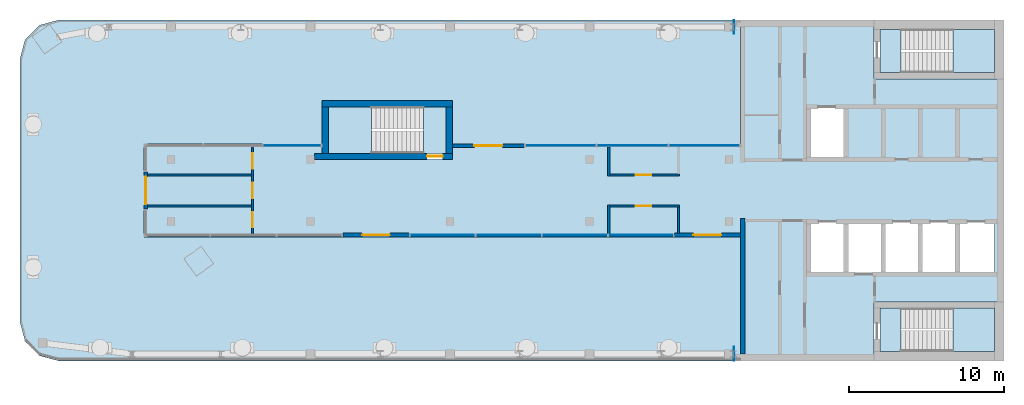
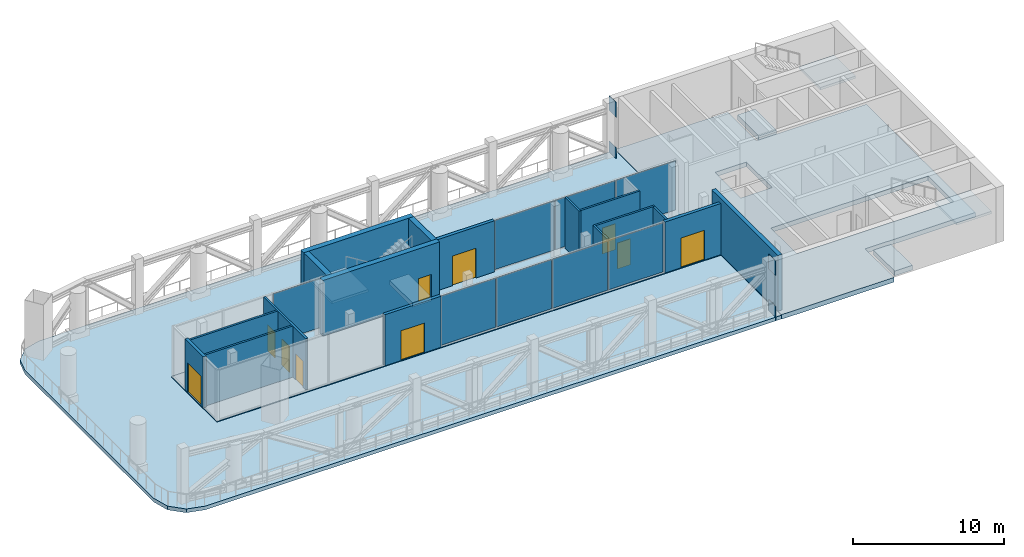
# One storey, part 4 of 9: 17 walls, 12 plates, 10 doors, 8 slabs, 10 openings, 6 elements without a shape of their own.
"""IFC4 building model written with IfcOpenShell, lengths in metres."""

from ifc_helpers import new_model, si_unit, direction, frame, frame_2d, origin, origin_2d, place, context, subcontext, project, spatial, polyline, rectangle, outline, extrude, material, layer, layer_set, type_object, element, fill, aggregate, save


model = new_model("IFC4")

# Units and contexts
model_context = context("Model", 3, precision=1e-05, world=origin(), true_north=direction((0.0, 1.0)))
body_context = subcontext(model_context, "Body", "Model", "MODEL_VIEW")
ifc_project = project(units=[si_unit("LENGTHUNIT", "METRE"), si_unit("AREAUNIT", "SQUARE_METRE"), si_unit("VOLUMEUNIT", "CUBIC_METRE"), si_unit("PLANEANGLEUNIT", "RADIAN"), si_unit("MASSUNIT", "GRAM", prefix="KILO")], contexts=[model_context])

# Site, building, storey
site_placement = place(None, origin())
site = spatial("IfcSite", under=ifc_project, at=site_placement, CompositionType="ELEMENT")
building_placement = place(site_placement, origin())
building = spatial("IfcBuilding", under=site, at=building_placement, Name="Skarvind Civic Tower", CompositionType="ELEMENT")
storey_placement = place(building_placement, frame((0.0, 0.0, 277.5)))
storey = spatial("IfcBuildingStorey", under=building, at=storey_placement, Name="L66", CompositionType="ELEMENT", Elevation=277.5)

# Curtain wall, plate
ifc_material_1 = material(Name="Aluminium alloy 6063 and laminated glass", Category="aluminium")
curtain_wall_type = type_object("IfcCurtainWallType", Name="CW5 CROWN GALLERY LANTERN", PredefinedType="NOTDEFINED", material=ifc_material_1)
curtain_wall_1_placement = place(storey_placement, origin())
curtain_wall_1 = element("IfcCurtainWall", 1, at=curtain_wall_1_placement, inside=storey, type_object=curtain_wall_type, Name="CROWN GALLERY LANTERN", PredefinedType="NOTDEFINED")
ifc_material_2 = material(Name="Laminated low-iron glass", Category="glass")
ifc_layer_1 = layer(ifc_material_2, 0.035888671875)
ifc_layer_set_1 = layer_set([ifc_layer_1], Name="CW5 GLASS PANEL 36")
plate_type_1 = type_object("IfcPlateType", Name="CW5 GLASS PANEL 36", PredefinedType="CURTAIN_PANEL", material=ifc_layer_set_1)
plate_1_placement = place(storey_placement, frame((62.063232421875, 130.889892578125, 0.080078125), z_axis=(0.0, 0.0, 1.0), x_axis=(1.0, 0.0, 0.0)))
plate_1 = element("IfcPlate", 2, at=plate_1_placement, type_object=plate_type_1, Name="CW5 panel 3.1", PredefinedType="CURTAIN_PANEL", context=body_context, shape_type="SweptSolid", body=[
    extrude(rectangle(XDim=3.71337890625, YDim=0.035888671875, at=origin_2d()), origin(), (0.0, 0.0, 1.0), 3.965087890625),
])
aggregate(curtain_wall_1, [plate_1])

# Curtain wall, plates
curtain_wall_2_placement = place(storey_placement, origin())
curtain_wall_2 = element("IfcCurtainWall", 3, at=curtain_wall_2_placement, inside=storey, type_object=curtain_wall_type, Name="CROWN GALLERY LANTERN", PredefinedType="NOTDEFINED")
plate_2_placement = place(storey_placement, frame((84.563232421875, 125.110107421875, 0.080078125), z_axis=(0.0, 0.0, 1.0), x_axis=(-1.0, 0.0, 0.0)))
plate_2 = element("IfcPlate", 4, at=plate_2_placement, type_object=plate_type_1, Name="CW5 panel 1.1", PredefinedType="CURTAIN_PANEL", context=body_context, shape_type="SweptSolid", body=[
    extrude(rectangle(XDim=4.15771484375, YDim=0.035888671875, at=origin_2d()), origin(), (0.0, 0.0, 1.0), 3.965087890625),
])
plate_3_placement = place(storey_placement, frame((80.305419921875, 125.110107421875, 0.080078125), z_axis=(0.0, 0.0, 1.0), x_axis=(-1.0, 0.0, 0.0)))
plate_3 = element("IfcPlate", 5, at=plate_3_placement, type_object=plate_type_1, Name="CW5 panel 2.1", PredefinedType="CURTAIN_PANEL", context=body_context, shape_type="SweptSolid", body=[
    extrude(rectangle(XDim=4.19775390625, YDim=0.035888671875, at=origin_2d()), origin(), (0.0, 0.0, 1.0), 3.965087890625),
])
plate_4_placement = place(storey_placement, frame((76.02783203125, 125.110107421875, 0.080078125), z_axis=(0.0, 0.0, 1.0), x_axis=(-1.0, 0.0, 0.0)))
plate_4 = element("IfcPlate", 6, at=plate_4_placement, type_object=plate_type_1, Name="CW5 panel 3.1", PredefinedType="CURTAIN_PANEL", context=body_context, shape_type="SweptSolid", body=[
    extrude(rectangle(XDim=4.19775390625, YDim=0.035888671875, at=origin_2d()), origin(), (0.0, 0.0, 1.0), 3.965087890625),
])
plate_5_placement = place(storey_placement, frame((71.77001953125, 125.110107421875, 0.080078125), z_axis=(0.0, 0.0, 1.0), x_axis=(-1.0, 0.0, 0.0)))
plate_5 = element("IfcPlate", 7, at=plate_5_placement, type_object=plate_type_1, Name="CW5 panel 4.1", PredefinedType="CURTAIN_PANEL", context=body_context, shape_type="SweptSolid", body=[
    extrude(rectangle(XDim=4.15771484375, YDim=0.035888671875, at=origin_2d()), origin(), (0.0, 0.0, 1.0), 3.965087890625),
])
aggregate(curtain_wall_2, [plate_2, plate_3, plate_4, plate_5])

curtain_wall_3_placement = place(storey_placement, origin())
curtain_wall_3 = element("IfcCurtainWall", 8, at=curtain_wall_3_placement, inside=storey, type_object=curtain_wall_type, Name="CROWN GALLERY LANTERN", PredefinedType="NOTDEFINED")
plate_6_placement = place(storey_placement, frame((79.39501953125, 130.889892578125, 0.080078125), z_axis=(0.0, 0.0, 1.0), x_axis=(1.0, 0.0, 0.0)))
plate_6 = element("IfcPlate", 9, at=plate_6_placement, type_object=plate_type_1, Name="CW5 panel 1.1", PredefinedType="CURTAIN_PANEL", context=body_context, shape_type="SweptSolid", body=[
    extrude(rectangle(XDim=4.530029296875, YDim=0.035888671875, at=origin_2d()), origin(), (0.0, 0.0, 1.0), 3.965087890625),
])
plate_7_placement = place(storey_placement, frame((84.02490234375, 130.889892578125, 0.080078125), z_axis=(0.0, 0.0, 1.0), x_axis=(1.0, 0.0, 0.0)))
plate_7 = element("IfcPlate", 10, at=plate_7_placement, type_object=plate_type_1, Name="CW5 panel 2.1", PredefinedType="CURTAIN_PANEL", context=body_context, shape_type="SweptSolid", body=[
    extrude(rectangle(XDim=4.570068359375, YDim=0.035888671875, at=origin_2d()), origin(), (0.0, 0.0, 1.0), 3.965087890625),
])
plate_8_placement = place(storey_placement, frame((88.655029296875, 130.889892578125, 0.080078125), z_axis=(0.0, 0.0, 1.0), x_axis=(1.0, 0.0, 0.0)))
plate_8 = element("IfcPlate", 11, at=plate_8_placement, type_object=plate_type_1, Name="CW5 panel 3.1", PredefinedType="CURTAIN_PANEL", context=body_context, shape_type="SweptSolid", body=[
    extrude(rectangle(XDim=4.530029296875, YDim=0.035888671875, at=origin_2d()), origin(), (0.0, 0.0, 1.0), 3.965087890625),
])
aggregate(curtain_wall_3, [plate_6, plate_7, plate_8])

# Plates
ifc_material_3 = material(Name="Steel SM355", Category="steel")
ifc_layer_2 = layer(ifc_material_3, 0.0400390625)
ifc_layer_set_2 = layer_set([ifc_layer_2], Name="Cast-in plate 40")
plate_type_2 = type_object("IfcPlateType", Name="Cast-in plate 40", PredefinedType="USERDEFINED", material=ifc_layer_set_2)
for number, where, z_axis, x_axis, name in (
    (12, (90.570068359375, 138.550048828125, -0.37109375), (0.0, 0.0, 1.0), (1.0, 0.0, 0.0), "Cast-in plate W1N BC 40"),
    (13, (90.570068359375, 138.550048828125, 3.2958984375), (0.0, 0.0, 1.0), (1.0, 0.0, 0.0), "Cast-in plate W1N TC 40"),
    (14, (90.570068359375, 117.449951171875, -0.37109375), (0.0, 0.0, 1.0), (1.0, 0.0, 0.0), "Cast-in plate W1S BC 40"),
    (15, (90.570068359375, 117.449951171875, 3.2958984375), (0.0, 0.0, 1.0), (1.0, 0.0, 0.0), "Cast-in plate W1S TC 40"),
):
    element("IfcPlate", number, at=place(storey_placement, frame(where, z_axis=z_axis, x_axis=x_axis)), inside=storey, type_object=plate_type_2, Name=name, ObjectType="CAST-IN PLATE", PredefinedType="USERDEFINED", context=body_context, shape_type="SweptSolid", body=[
        extrude(rectangle(XDim=0.0400390625, YDim=0.89990234375, at=origin_2d()), origin(), (0.0, 0.0, 1.0), 1.199951171875),
    ])

# Slabs
ifc_material_4 = material(Name="Concrete C50", Category="concrete")
ifc_layer_3 = layer(ifc_material_4, 0.375)
ifc_layer_set_3 = layer_set([ifc_layer_3], Name="Floor slab 375 C50")
slab_type_1 = type_object("IfcSlabType", Name="Floor slab 375 C50", PredefinedType="FLOOR", material=ifc_layer_set_3)
slab_1_placement = place(storey_placement, frame((0.0, 0.0, -0.375)))
element("IfcSlab", 16, at=slab_1_placement, inside=storey, type_object=slab_type_1, Name="Floor slab L66 1", PredefinedType="FLOOR", context=body_context, shape_type="SweptSolid", body=[
    extrude(outline(polyline([(99.60009765625, 117.0), (99.60009765625, 120.800048828125), (108.0, 120.800048828125), (108.0, 135.199951171875), (99.60009765625, 135.199951171875), (99.60009765625, 139.0), (91.0, 139.0), (91.0, 131.0), (72.39990234375, 131.0), (72.39990234375, 130.0), (64.0, 130.0), (64.0, 131.0), (52.5, 131.0), (52.5, 125.0), (91.0, 125.0), (91.0, 117.0), (99.60009765625, 117.0)]), holes=[polyline([(95.39990234375, 126.0), (97.800048828125, 126.0), (100.199951171875, 126.0), (102.60009765625, 126.0), (105.0, 126.0), (107.39990234375, 126.0), (107.39990234375, 122.60009765625), (105.0, 122.60009765625), (102.60009765625, 122.60009765625), (100.199951171875, 122.60009765625), (97.800048828125, 122.60009765625), (95.39990234375, 122.60009765625), (95.39990234375, 126.0)]), polyline([(95.39990234375, 133.39990234375), (97.800048828125, 133.39990234375), (97.800048828125, 130.0), (95.39990234375, 130.0), (95.39990234375, 133.39990234375)])]), origin(), (0.0, 0.0, 1.0), 0.375),
])
ifc_material_5 = material(Name="Concrete C40/50", Category="concrete")
ifc_layer_4 = layer(ifc_material_5, 0.375)
ifc_layer_set_4 = layer_set([ifc_layer_4], Name="Stair floor landing slab 375")
slab_type_2 = type_object("IfcSlabType", Name="Stair floor landing slab 375", PredefinedType="LANDING", material=ifc_layer_set_4)
slab_2_placement = place(storey_placement, frame((0.0, 0.0, -0.375)))
element("IfcSlab", 17, at=slab_2_placement, inside=storey, type_object=slab_type_2, Name="Stair floor landing", PredefinedType="LANDING", context=body_context, shape_type="SweptSolid", body=[
    extrude(outline(polyline([(101.3505859375, 138.400634765625), (101.3505859375, 135.599365234375), (99.99951171875, 135.599365234375), (99.99951171875, 138.400634765625), (101.3505859375, 138.400634765625)])), origin(), (0.0, 0.0, 1.0), 0.375),
])
slab_3_placement = place(storey_placement, frame((0.0, 0.0, -0.375)))
element("IfcSlab", 18, at=slab_3_placement, inside=storey, type_object=slab_type_2, Name="Stair floor landing", PredefinedType="LANDING", context=body_context, shape_type="SweptSolid", body=[
    extrude(outline(polyline([(101.3505859375, 120.400634765625), (101.3505859375, 117.599365234375), (99.99951171875, 117.599365234375), (99.99951171875, 120.400634765625), (101.3505859375, 120.400634765625)])), origin(), (0.0, 0.0, 1.0), 0.375),
])
slab_4_placement = place(storey_placement, frame((0.0, 0.0, -0.375)))
element("IfcSlab", 19, at=slab_4_placement, inside=storey, type_object=slab_type_2, Name="Stair floor landing", PredefinedType="LANDING", context=body_context, shape_type="SweptSolid", body=[
    extrude(outline(polyline([(70.54931640625, 130.3994140625), (70.54931640625, 133.400634765625), (72.00048828125, 133.400634765625), (72.00048828125, 130.3994140625), (70.54931640625, 130.3994140625)])), origin(), (0.0, 0.0, 1.0), 0.375),
])

# Stair, slab
stair_type_1 = type_object("IfcStairType", Name="Exit stair, half-turn, concrete", PredefinedType="HALF_TURN_STAIR", material=ifc_material_5)
stair_1_placement = place(storey_placement, origin())
stair_1 = element("IfcStair", 20, at=stair_1_placement, inside=storey, type_object=stair_type_1, Name="Exit stair C1S", PredefinedType="HALF_TURN_STAIR")
ifc_layer_5 = layer(ifc_material_5, 0.199951171875)
ifc_layer_set_5 = layer_set([ifc_layer_5], Name="Stair half landing slab")
slab_type_3 = type_object("IfcSlabType", Name="Stair half landing slab", PredefinedType="LANDING", material=ifc_layer_set_5)
slab_5_placement = place(storey_placement, frame((0.0, 0.0, 2.050048828125)))
slab_5 = element("IfcSlab", 21, at=slab_5_placement, type_object=slab_type_3, Name="ST-C1S landing 1", PredefinedType="LANDING", context=body_context, shape_type="SweptSolid", body=[
    extrude(outline(polyline([(104.70947265625, 135.599365234375), (104.70947265625, 138.400634765625), (107.400634765625, 138.400634765625), (107.400634765625, 135.599365234375), (104.70947265625, 135.599365234375)])), origin(), (0.0, 0.0, 1.0), 0.199951171875),
])
aggregate(stair_1, [slab_5])

stair_2_placement = place(storey_placement, origin())
stair_2 = element("IfcStair", 22, at=stair_2_placement, inside=storey, type_object=stair_type_1, Name="Exit stair C1N", PredefinedType="HALF_TURN_STAIR")
slab_6_placement = place(storey_placement, frame((0.0, 0.0, 2.050048828125)))
slab_6 = element("IfcSlab", 23, at=slab_6_placement, type_object=slab_type_3, Name="ST-C1N landing 1", PredefinedType="LANDING", context=body_context, shape_type="SweptSolid", body=[
    extrude(outline(polyline([(104.70947265625, 117.599365234375), (104.70947265625, 120.400634765625), (107.400634765625, 120.400634765625), (107.400634765625, 117.599365234375), (104.70947265625, 117.599365234375)])), origin(), (0.0, 0.0, 1.0), 0.199951171875),
])
aggregate(stair_2, [slab_6])

stair_type_2 = type_object("IfcStairType", Name="Exit stair 1450, half-turn, concrete", PredefinedType="HALF_TURN_STAIR", material=ifc_material_5)
stair_3_placement = place(storey_placement, origin())
stair_3 = element("IfcStair", 24, at=stair_3_placement, inside=storey, type_object=stair_type_2, Name="Exit stair CM", PredefinedType="HALF_TURN_STAIR")
slab_7_placement = place(storey_placement, frame((0.0, 0.0, 2.050048828125)))
slab_7 = element("IfcSlab", 25, at=slab_7_placement, type_object=slab_type_3, Name="ST-CM landing 1", PredefinedType="LANDING", context=body_context, shape_type="SweptSolid", body=[
    extrude(outline(polyline([(67.190673828125, 133.400634765625), (67.190673828125, 130.3994140625), (64.3994140625, 130.3994140625), (64.3994140625, 133.400634765625), (67.190673828125, 133.400634765625)])), origin(), (0.0, 0.0, 1.0), 0.199951171875),
])
aggregate(stair_3, [slab_7])

# Slab
ifc_layer_6 = layer(ifc_material_4, 0.300048828125)
ifc_layer_set_6 = layer_set([ifc_layer_6], Name="Terrace slab 300 C50")
slab_type_4 = type_object("IfcSlabType", Name="Terrace slab 300 C50", PredefinedType="FLOOR", material=ifc_layer_set_6)
slab_8_placement = place(storey_placement, frame((0.0, 0.0, -0.35009765625)))
element("IfcSlab", 26, at=slab_8_placement, inside=storey, type_object=slab_type_4, Name="Terrace slab L66 1", PredefinedType="FLOOR", context=body_context, shape_type="SweptSolid", body=[
    extrude(outline(polyline([(44.8349609375, 118.25), (45.75, 117.3349609375), (47.0, 117.0), (91.0, 117.0), (91.0, 125.0), (52.5, 125.0), (52.5, 131.0), (64.0, 131.0), (64.0, 133.800048828125), (72.39990234375, 133.800048828125), (72.39990234375, 131.0), (91.0, 131.0), (91.0, 139.0), (47.0, 139.0), (45.75, 138.6650390625), (44.8349609375, 137.75), (44.5, 136.5), (44.5, 119.5), (44.8349609375, 118.25)])), origin(), (0.0, 0.0, 1.0), 0.300048828125),
])

# Wall
ifc_material_6 = material(Name="Concrete C60", Category="concrete")
ifc_layer_7 = layer(ifc_material_6, 0.300048828125)
ifc_layer_set_7 = layer_set([ifc_layer_7], Name="Core wall 300 C60")
wall_type_1 = type_object("IfcWallType", Name="Core wall 300 C60", PredefinedType="SHEAR", material=ifc_layer_set_7)
wall_1_placement = place(storey_placement, frame((91.14990234375, 126.199951171875, 0.0), z_axis=(0.0, 0.0, 1.0), x_axis=(0.0, -1.0, 0.0)))
element("IfcWall", 27, at=wall_1_placement, inside=storey, type_object=wall_type_1, Name="Core wall C1 north inner face L66", PredefinedType="SHEAR", context=body_context, shape_type="SweptSolid", body=[
    extrude(rectangle(XDim=8.75, YDim=0.300048828125, at=frame_2d((4.375, 0.0))), origin(), (0.0, 0.0, 1.0), 4.5),
])

# Wall, opening, door
ifc_layer_8 = layer(ifc_material_6, 0.39990234375)
ifc_layer_set_8 = layer_set([ifc_layer_8], Name="Core wall 400 C60")
wall_type_2 = type_object("IfcWallType", Name="Core wall 400 C60", PredefinedType="SHEAR", material=ifc_layer_set_8)
wall_2_placement = place(storey_placement, frame((63.5, 130.199951171875, 0.0), z_axis=(0.0, 0.0, 1.0), x_axis=(1.0, 0.0, 0.0)))
wall_2 = element("IfcWall", 28, at=wall_2_placement, inside=storey, type_object=wall_type_2, Name="Core wall CM inner L66", PredefinedType="SHEAR", context=body_context, shape_type="SweptSolid", body=[
    extrude(rectangle(XDim=8.89990234375, YDim=0.39990234375, at=frame_2d((4.449951171875, 0.0))), origin(), (0.0, 0.0, 1.0), 4.5),
])
opening_1_placement = place(wall_2_placement, frame((7.27490234375, 0.0, 0.0)))
opening_1 = element("IfcOpeningElement", 29, at=opening_1_placement, cuts=wall_2, Name="Opening D-L66-CM-01", PredefinedType="OPENING", context=body_context, shape_type="SweptSolid", body=[
    extrude(rectangle(XDim=1.0, YDim=2.10009765625, at=frame_2d((0.5, 1.050048828125))), frame((0.0, 0.2099609375, 0.0), z_axis=(0.0, -1.0, 0.0), x_axis=(1.0, 0.0, 0.0)), (0.0, 0.0, 1.0), 0.419921875),
])
ifc_material_7 = material(Name="Fire-rated steel door", Category="steel")
door_type_1 = type_object("IfcDoorType", Name="Fire door 1000", OperationType="NOTDEFINED", PredefinedType="DOOR", material=ifc_material_7)
door_1_placement = place(opening_1_placement, origin())
door_1 = element("IfcDoor", 30, at=door_1_placement, inside=storey, type_object=door_type_1, Name="Fire door", OperationType="SINGLE_SWING_LEFT", OverallHeight=2.10009765625, OverallWidth=1.0, PredefinedType="DOOR", context=body_context, shape_type="SweptSolid", body=[
    extrude(rectangle(XDim=1.0, YDim=2.10009765625, at=frame_2d((0.5, 1.050048828125))), frame((0.0, 0.02490234375, 0.0), z_axis=(0.0, -1.0, 0.0), x_axis=(1.0, 0.0, 0.0)), (0.0, 0.0, 1.0), 0.050048828125),
])
fill(opening_1, door_1)

# Walls
wall_3_placement = place(storey_placement, frame((64.0, 133.60009765625, 0.0), z_axis=(0.0, 0.0, 1.0), x_axis=(1.0, 0.0, 0.0)))
element("IfcWall", 31, at=wall_3_placement, inside=storey, type_object=wall_type_2, Name="Core wall CM outer L66", PredefinedType="SHEAR", context=body_context, shape_type="SweptSolid", body=[
    extrude(rectangle(XDim=8.39990234375, YDim=0.39990234375, at=frame_2d((4.199951171875, 0.0))), origin(), (0.0, 0.0, 1.0), 4.5),
])
for number, where, z_axis, x_axis, name in (
    (32, (64.199951171875, 130.39990234375, 0.0), (0.0, 0.0, 1.0), (0.0, 1.0, 0.0), "Core wall CM west L66"),
    (33, (72.199951171875, 130.39990234375, 0.0), (0.0, 0.0, 1.0), (0.0, 1.0, 0.0), "Core wall CM end L66"),
):
    element("IfcWall", number, at=place(storey_placement, frame(where, z_axis=z_axis, x_axis=x_axis)), inside=storey, type_object=wall_type_2, Name=name, PredefinedType="SHEAR", context=body_context, shape_type="SweptSolid", body=[
        extrude(rectangle(XDim=3.0, YDim=0.39990234375, at=frame_2d((1.5, 0.0))), origin(), (0.0, 0.0, 1.0), 4.5),
    ])
ifc_material_8 = material(Name="Plasterboard partition on steel studs", Category="steel")
ifc_layer_9 = layer(ifc_material_8, 0.14990234375)
ifc_layer_set_9 = layer_set([ifc_layer_9], Name="PARTITION 150")
wall_type_3 = type_object("IfcWallType", Name="PARTITION 150", PredefinedType="PARTITIONING", material=ifc_layer_set_9)
for number, where, z_axis, x_axis, name in (
    (34, (52.719970703125, 127.0, 0.0), (0.0, 0.0, 1.0), (1.0, 0.0, 0.0), "Crown partition L66 001"),
    (35, (52.719970703125, 129.0, 0.0), (0.0, 0.0, 1.0), (1.0, 0.0, 0.0), "Crown partition L66 002"),
):
    element("IfcWall", number, at=place(storey_placement, frame(where, z_axis=z_axis, x_axis=x_axis)), inside=storey, type_object=wall_type_3, Name=name, PredefinedType="PARTITIONING", context=body_context, shape_type="SweptSolid", body=[
        extrude(rectangle(XDim=6.705078125, YDim=0.14990234375, at=frame_2d((3.3525390625, 0.0))), origin(), (0.0, 0.0, 1.0), 4.125),
    ])

# Wall, openings, doors
wall_4_placement = place(storey_placement, frame((59.5, 125.219970703125, 0.0), z_axis=(0.0, 0.0, 1.0), x_axis=(0.0, 1.0, 0.0)))
wall_4 = element("IfcWall", 36, at=wall_4_placement, inside=storey, type_object=wall_type_3, Name="Crown partition L66 003", PredefinedType="PARTITIONING", context=body_context, shape_type="SweptSolid", body=[
    extrude(rectangle(XDim=5.56005859375, YDim=0.14990234375, at=frame_2d((2.780029296875, 0.0))), origin(), (0.0, 0.0, 1.0), 4.125),
])
opening_2_placement = place(wall_4_placement, frame((0.389892578125, 0.0, 0.0)))
opening_2 = element("IfcOpeningElement", 37, at=opening_2_placement, cuts=wall_4, Name="Opening L66-D201", PredefinedType="OPENING", context=body_context, shape_type="SweptSolid", body=[
    extrude(rectangle(XDim=1.0, YDim=2.10009765625, at=frame_2d((0.5, 1.050048828125))), frame((0.0, 0.0849609375, 0.0), z_axis=(0.0, -1.0, 0.0), x_axis=(1.0, 0.0, 0.0)), (0.0, 0.0, 1.0), 0.169921875),
])
opening_3_placement = place(wall_4_placement, frame((2.280029296875, 0.0, 0.0)))
opening_3 = element("IfcOpeningElement", 38, at=opening_3_placement, cuts=wall_4, Name="Opening L66-D202", PredefinedType="OPENING", context=body_context, shape_type="SweptSolid", body=[
    extrude(rectangle(XDim=1.0, YDim=2.10009765625, at=frame_2d((0.5, 1.050048828125))), frame((0.0, 0.0849609375, 0.0), z_axis=(0.0, -1.0, 0.0), x_axis=(1.0, 0.0, 0.0)), (0.0, 0.0, 1.0), 0.169921875),
])
opening_4_placement = place(wall_4_placement, frame((4.169921875, 0.0, 0.0)))
opening_4 = element("IfcOpeningElement", 39, at=opening_4_placement, cuts=wall_4, Name="Opening L66-D203", PredefinedType="OPENING", context=body_context, shape_type="SweptSolid", body=[
    extrude(rectangle(XDim=1.0, YDim=2.10009765625, at=frame_2d((0.5, 1.050048828125))), frame((0.0, 0.0849609375, 0.0), z_axis=(0.0, -1.0, 0.0), x_axis=(1.0, 0.0, 0.0)), (0.0, 0.0, 1.0), 0.169921875),
])
ifc_material_9 = material(Name="Timber veneer door leaf", Category="wood")
door_type_2 = type_object("IfcDoorType", Name="DOOR 1000X2100 TIMBER", OperationType="NOTDEFINED", PredefinedType="DOOR", material=ifc_material_9)
door_2_placement = place(opening_2_placement, origin())
door_2 = element("IfcDoor", 40, at=door_2_placement, inside=storey, type_object=door_type_2, Name="DOOR DOOR", OperationType="SINGLE_SWING_LEFT", OverallHeight=2.10009765625, OverallWidth=1.0, PredefinedType="DOOR", context=body_context, shape_type="SweptSolid", body=[
    extrude(rectangle(XDim=1.0, YDim=2.10009765625, at=frame_2d((0.5, 1.050048828125))), frame((0.0, 0.02490234375, 0.0), z_axis=(0.0, -1.0, 0.0), x_axis=(1.0, 0.0, 0.0)), (0.0, 0.0, 1.0), 0.050048828125),
])
fill(opening_2, door_2)
door_3_placement = place(opening_3_placement, origin())
door_3 = element("IfcDoor", 41, at=door_3_placement, inside=storey, type_object=door_type_2, Name="DOOR DOOR", OperationType="SINGLE_SWING_RIGHT", OverallHeight=2.10009765625, OverallWidth=1.0, PredefinedType="DOOR", context=body_context, shape_type="SweptSolid", body=[
    extrude(rectangle(XDim=1.0, YDim=2.10009765625, at=frame_2d((0.5, 1.050048828125))), frame((0.0, 0.02490234375, 0.0), z_axis=(0.0, -1.0, 0.0), x_axis=(1.0, 0.0, 0.0)), (0.0, 0.0, 1.0), 0.050048828125),
])
fill(opening_3, door_3)
door_4_placement = place(opening_4_placement, origin())
door_4 = element("IfcDoor", 42, at=door_4_placement, inside=storey, type_object=door_type_2, Name="DOOR DOOR", OperationType="SINGLE_SWING_LEFT", OverallHeight=2.10009765625, OverallWidth=1.0, PredefinedType="DOOR", context=body_context, shape_type="SweptSolid", body=[
    extrude(rectangle(XDim=1.0, YDim=2.10009765625, at=frame_2d((0.5, 1.050048828125))), frame((0.0, 0.02490234375, 0.0), z_axis=(0.0, -1.0, 0.0), x_axis=(1.0, 0.0, 0.0)), (0.0, 0.0, 1.0), 0.050048828125),
])
fill(opening_4, door_4)

# Wall
wall_5_placement = place(storey_placement, frame((82.5, 125.199951171875, 0.0), z_axis=(0.0, 0.0, 1.0), x_axis=(0.0, 1.0, 0.0)))
element("IfcWall", 43, at=wall_5_placement, inside=storey, type_object=wall_type_3, Name="Crown partition L66 004", PredefinedType="PARTITIONING", context=body_context, shape_type="SweptSolid", body=[
    extrude(rectangle(XDim=1.875, YDim=0.14990234375, at=frame_2d((0.9375, 0.0))), origin(), (0.0, 0.0, 1.0), 4.125),
])

# Wall, opening, door
wall_6_placement = place(storey_placement, frame((87.074951171875, 127.0, 0.0), z_axis=(0.0, 0.0, 1.0), x_axis=(-1.0, 0.0, 0.0)))
wall_6 = element("IfcWall", 44, at=wall_6_placement, inside=storey, type_object=wall_type_3, Name="Crown partition L66 005", PredefinedType="PARTITIONING", context=body_context, shape_type="SweptSolid", body=[
    extrude(rectangle(XDim=4.5, YDim=0.14990234375, at=frame_2d((2.25, 0.0))), origin(), (0.0, 0.0, 1.0), 4.125),
])
opening_5_placement = place(wall_6_placement, frame((1.824951171875, 0.0, 0.0)))
opening_5 = element("IfcOpeningElement", 45, at=opening_5_placement, cuts=wall_6, Name="Opening L66-D204", PredefinedType="OPENING", context=body_context, shape_type="SweptSolid", body=[
    extrude(rectangle(XDim=1.0, YDim=2.10009765625, at=frame_2d((0.5, 1.050048828125))), frame((0.0, 0.0849609375, 0.0), z_axis=(0.0, -1.0, 0.0), x_axis=(1.0, 0.0, 0.0)), (0.0, 0.0, 1.0), 0.169921875),
])
door_5_placement = place(opening_5_placement, origin())
door_5 = element("IfcDoor", 46, at=door_5_placement, inside=storey, type_object=door_type_2, Name="DOOR DOOR", OperationType="SINGLE_SWING_LEFT", OverallHeight=2.10009765625, OverallWidth=1.0, PredefinedType="DOOR", context=body_context, shape_type="SweptSolid", body=[
    extrude(rectangle(XDim=1.0, YDim=2.10009765625, at=frame_2d((0.5, 1.050048828125))), frame((0.0, 0.02490234375, 0.0), z_axis=(0.0, -1.0, 0.0), x_axis=(1.0, 0.0, 0.0)), (0.0, 0.0, 1.0), 0.050048828125),
])
fill(opening_5, door_5)

# Wall
wall_7_placement = place(storey_placement, frame((82.5, 128.925048828125, 0.0), z_axis=(0.0, 0.0, 1.0), x_axis=(0.0, 1.0, 0.0)))
element("IfcWall", 47, at=wall_7_placement, inside=storey, type_object=wall_type_3, Name="Crown partition L66 006", PredefinedType="PARTITIONING", context=body_context, shape_type="SweptSolid", body=[
    extrude(rectangle(XDim=1.875, YDim=0.14990234375, at=frame_2d((0.9375, 0.0))), origin(), (0.0, 0.0, 1.0), 4.125),
])

# Wall, opening, door
wall_8_placement = place(storey_placement, frame((82.574951171875, 129.0, 0.0), z_axis=(0.0, 0.0, 1.0), x_axis=(1.0, 0.0, 0.0)))
wall_8 = element("IfcWall", 48, at=wall_8_placement, inside=storey, type_object=wall_type_3, Name="Crown partition L66 007", PredefinedType="PARTITIONING", context=body_context, shape_type="SweptSolid", body=[
    extrude(rectangle(XDim=4.5, YDim=0.14990234375, at=frame_2d((2.25, 0.0))), origin(), (0.0, 0.0, 1.0), 4.125),
])
opening_6_placement = place(wall_8_placement, frame((1.675048828125, 0.0, 0.0)))
opening_6 = element("IfcOpeningElement", 49, at=opening_6_placement, cuts=wall_8, Name="Opening L66-D205", PredefinedType="OPENING", context=body_context, shape_type="SweptSolid", body=[
    extrude(rectangle(XDim=1.0, YDim=2.10009765625, at=frame_2d((0.5, 1.050048828125))), frame((0.0, 0.0849609375, 0.0), z_axis=(0.0, -1.0, 0.0), x_axis=(1.0, 0.0, 0.0)), (0.0, 0.0, 1.0), 0.169921875),
])
door_6_placement = place(opening_6_placement, origin())
door_6 = element("IfcDoor", 50, at=door_6_placement, inside=storey, type_object=door_type_2, Name="DOOR DOOR", OperationType="SINGLE_SWING_RIGHT", OverallHeight=2.10009765625, OverallWidth=1.0, PredefinedType="DOOR", context=body_context, shape_type="SweptSolid", body=[
    extrude(rectangle(XDim=1.0, YDim=2.10009765625, at=frame_2d((0.5, 1.050048828125))), frame((0.0, 0.02490234375, 0.0), z_axis=(0.0, -1.0, 0.0), x_axis=(1.0, 0.0, 0.0)), (0.0, 0.0, 1.0), 0.050048828125),
])
fill(opening_6, door_6)

# Wall
wall_9_placement = place(storey_placement, frame((87.0, 125.219970703125, 0.0), z_axis=(0.0, 0.0, 1.0), x_axis=(0.0, 1.0, 0.0)))
element("IfcWall", 51, at=wall_9_placement, inside=storey, type_object=wall_type_3, Name="Crown partition L66 008", PredefinedType="PARTITIONING", context=body_context, shape_type="SweptSolid", body=[
    extrude(rectangle(XDim=1.705078125, YDim=0.14990234375, at=frame_2d((0.8525390625, 0.0))), origin(), (0.0, 0.0, 1.0), 4.125),
])

# Wall, opening, door
ifc_material_10 = material(Name="Limestone masonry cladding on insulated backing", Category="masonry")
ifc_layer_10 = layer(ifc_material_10, 0.239990234375)
ifc_layer_set_10 = layer_set([ifc_layer_10], Name="WX4 STONE DOOR PIER WALL 240")
wall_type_4 = type_object("IfcWallType", Name="WX4 STONE DOOR PIER WALL 240", PredefinedType="SOLIDWALL", material=ifc_layer_set_10)
wall_10_placement = place(storey_placement, frame((52.6201171875, 126.800048828125, 0.0), z_axis=(0.0, 0.0, 1.0), x_axis=(0.0, 1.0, 0.0)))
wall_10 = element("IfcWall", 52, at=wall_10_placement, inside=storey, type_object=wall_type_4, Name="STONE DOOR PIER WALL", PredefinedType="SOLIDWALL", context=body_context, shape_type="SweptSolid", body=[
    extrude(rectangle(XDim=2.39990234375, YDim=0.239990234375, at=frame_2d((1.199951171875, 0.0))), origin(), (0.0, 0.0, 1.0), 4.125),
])
opening_7_placement = place(wall_10_placement, frame((0.300048828125, 0.0, 0.0)))
opening_7 = element("IfcOpeningElement", 53, at=opening_7_placement, cuts=wall_10, Name="Opening DX3", PredefinedType="OPENING", context=body_context, shape_type="SweptSolid", body=[
    extrude(rectangle(XDim=1.800048828125, YDim=2.39990234375, at=frame_2d((0.89990234375, 1.199951171875))), frame((0.0, 0.1298828125, 0.0), z_axis=(0.0, -1.0, 0.0), x_axis=(1.0, 0.0, 0.0)), (0.0, 0.0, 1.0), 0.260009765625),
])
ifc_material_11 = material(Name="Timber and glass doorset", Category="wood")
door_type_3 = type_object("IfcDoorType", Name="DX3 TERRACE DOORS 1800 x 2400", OperationType="NOTDEFINED", PredefinedType="DOOR", material=ifc_material_11)
door_7_placement = place(opening_7_placement, origin())
door_7 = element("IfcDoor", 54, at=door_7_placement, inside=storey, type_object=door_type_3, Name="TERRACE DOORS", OperationType="DOUBLE_DOOR_SINGLE_SWING", OverallHeight=2.39990234375, OverallWidth=1.800048828125, PredefinedType="DOOR", context=body_context, shape_type="SweptSolid", body=[
    extrude(rectangle(XDim=1.800048828125, YDim=2.39990234375, at=frame_2d((0.89990234375, 1.199951171875))), frame((0.0, 0.02490234375, 0.0), z_axis=(0.0, -1.0, 0.0), x_axis=(1.0, 0.0, 0.0)), (0.0, 0.0, 1.0), 0.050048828125),
])
fill(opening_7, door_7)

wall_11_placement = place(storey_placement, frame((91.0, 125.1201171875, 0.0), z_axis=(0.0, 0.0, 1.0), x_axis=(-1.0, 0.0, 0.0)))
wall_11 = element("IfcWall", 55, at=wall_11_placement, inside=storey, type_object=wall_type_4, Name="STONE DOOR PIER WALL", PredefinedType="SOLIDWALL", context=body_context, shape_type="SweptSolid", body=[
    extrude(rectangle(XDim=4.27783203125, YDim=0.239990234375, at=frame_2d((2.138916015625, 0.0))), origin(), (0.0, 0.0, 1.0), 4.125),
])
opening_8_placement = place(wall_11_placement, frame((1.239013671875, 0.0, 0.0)))
opening_8 = element("IfcOpeningElement", 56, at=opening_8_placement, cuts=wall_11, Name="Opening DX3", PredefinedType="OPENING", context=body_context, shape_type="SweptSolid", body=[
    extrude(rectangle(XDim=1.800048828125, YDim=2.39990234375, at=frame_2d((0.89990234375, 1.199951171875))), frame((0.0, 0.1298828125, 0.0), z_axis=(0.0, -1.0, 0.0), x_axis=(1.0, 0.0, 0.0)), (0.0, 0.0, 1.0), 0.260009765625),
])
door_8_placement = place(opening_8_placement, origin())
door_8 = element("IfcDoor", 57, at=door_8_placement, inside=storey, type_object=door_type_3, Name="TERRACE DOORS", OperationType="DOUBLE_DOOR_SINGLE_SWING", OverallHeight=2.39990234375, OverallWidth=1.800048828125, PredefinedType="DOOR", context=body_context, shape_type="SweptSolid", body=[
    extrude(rectangle(XDim=1.800048828125, YDim=2.39990234375, at=frame_2d((0.89990234375, 1.199951171875))), frame((0.0, 0.02490234375, 0.0), z_axis=(0.0, -1.0, 0.0), x_axis=(1.0, 0.0, 0.0)), (0.0, 0.0, 1.0), 0.050048828125),
])
fill(opening_8, door_8)

wall_12_placement = place(storey_placement, frame((69.611083984375, 125.1201171875, 0.0), z_axis=(0.0, 0.0, 1.0), x_axis=(-1.0, 0.0, 0.0)))
wall_12 = element("IfcWall", 58, at=wall_12_placement, inside=storey, type_object=wall_type_4, Name="STONE DOOR PIER WALL", PredefinedType="SOLIDWALL", context=body_context, shape_type="SweptSolid", body=[
    extrude(rectangle(XDim=4.27783203125, YDim=0.239990234375, at=frame_2d((2.138916015625, 0.0))), origin(), (0.0, 0.0, 1.0), 4.125),
])
opening_9_placement = place(wall_12_placement, frame((1.239013671875, 0.0, 0.0)))
opening_9 = element("IfcOpeningElement", 59, at=opening_9_placement, cuts=wall_12, Name="Opening DX3", PredefinedType="OPENING", context=body_context, shape_type="SweptSolid", body=[
    extrude(rectangle(XDim=1.800048828125, YDim=2.39990234375, at=frame_2d((0.89990234375, 1.199951171875))), frame((0.0, 0.1298828125, 0.0), z_axis=(0.0, -1.0, 0.0), x_axis=(1.0, 0.0, 0.0)), (0.0, 0.0, 1.0), 0.260009765625),
])
door_9_placement = place(opening_9_placement, origin())
door_9 = element("IfcDoor", 60, at=door_9_placement, inside=storey, type_object=door_type_3, Name="TERRACE DOORS", OperationType="DOUBLE_DOOR_SINGLE_SWING", OverallHeight=2.39990234375, OverallWidth=1.800048828125, PredefinedType="DOOR", context=body_context, shape_type="SweptSolid", body=[
    extrude(rectangle(XDim=1.800048828125, YDim=2.39990234375, at=frame_2d((0.89990234375, 1.199951171875))), frame((0.0, 0.02490234375, 0.0), z_axis=(0.0, -1.0, 0.0), x_axis=(1.0, 0.0, 0.0)), (0.0, 0.0, 1.0), 0.050048828125),
])
fill(opening_9, door_9)

wall_13_placement = place(storey_placement, frame((72.39990234375, 130.8798828125, 0.0), z_axis=(0.0, 0.0, 1.0), x_axis=(1.0, 0.0, 0.0)))
wall_13 = element("IfcWall", 61, at=wall_13_placement, inside=storey, type_object=wall_type_4, Name="STONE DOOR PIER WALL", PredefinedType="SOLIDWALL", context=body_context, shape_type="SweptSolid", body=[
    extrude(rectangle(XDim=4.650146484375, YDim=0.239990234375, at=frame_2d((2.3251953125, 0.0))), origin(), (0.0, 0.0, 1.0), 4.125),
])
opening_10_placement = place(wall_13_placement, frame((1.425048828125, 0.0, 0.0)))
opening_10 = element("IfcOpeningElement", 62, at=opening_10_placement, cuts=wall_13, Name="Opening DX3", PredefinedType="OPENING", context=body_context, shape_type="SweptSolid", body=[
    extrude(rectangle(XDim=1.800048828125, YDim=2.39990234375, at=frame_2d((0.89990234375, 1.199951171875))), frame((0.0, 0.1298828125, 0.0), z_axis=(0.0, -1.0, 0.0), x_axis=(1.0, 0.0, 0.0)), (0.0, 0.0, 1.0), 0.260009765625),
])
door_10_placement = place(opening_10_placement, origin())
door_10 = element("IfcDoor", 63, at=door_10_placement, inside=storey, type_object=door_type_3, Name="TERRACE DOORS", OperationType="DOUBLE_DOOR_SINGLE_SWING", OverallHeight=2.39990234375, OverallWidth=1.800048828125, PredefinedType="DOOR", context=body_context, shape_type="SweptSolid", body=[
    extrude(rectangle(XDim=1.800048828125, YDim=2.39990234375, at=frame_2d((0.89990234375, 1.199951171875))), frame((0.0, 0.02490234375, 0.0), z_axis=(0.0, -1.0, 0.0), x_axis=(1.0, 0.0, 0.0)), (0.0, 0.0, 1.0), 0.050048828125),
])
fill(opening_10, door_10)

save(model, "model.ifc")
